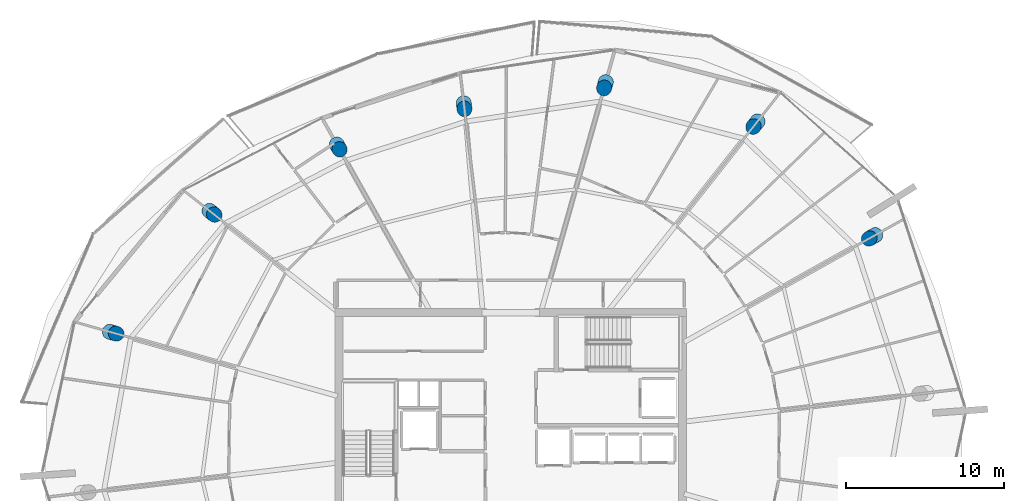
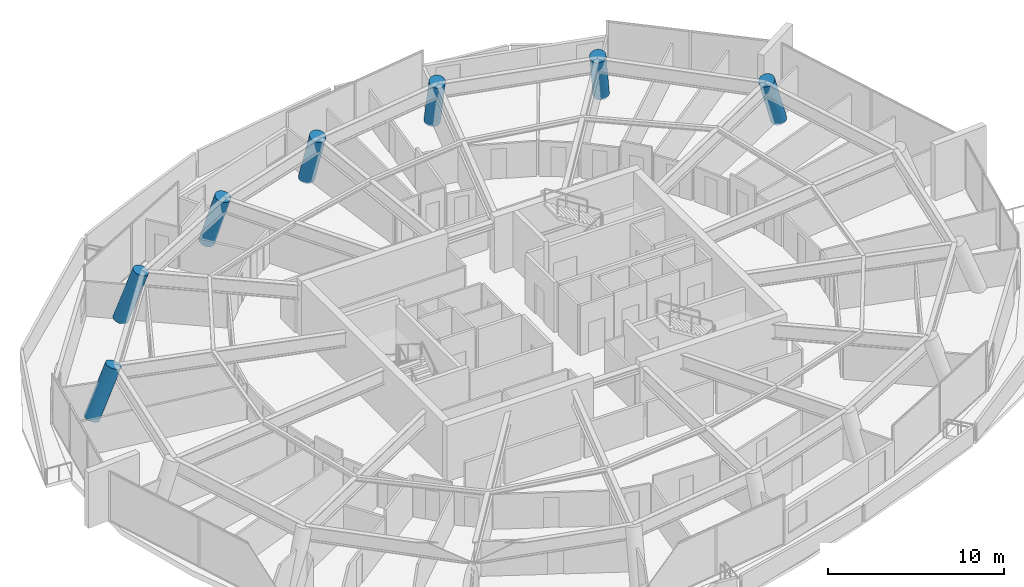
# One storey, part 4 of 27: 7 columns.
"""IFC4 building model written with IfcOpenShell, lengths in metres."""

from ifc_helpers import new_model, si_unit, direction, frame, origin, origin_2d, place, context, subcontext, project, spatial, circle, extrude, material, material_profile, profile_set, type_object, element, save


model = new_model("IFC4")

# Units and contexts
model_context = context("Model", 3, precision=1e-05, world=origin(), true_north=direction((0.0, 1.0)))
body_context = subcontext(model_context, "Body", "Model", "MODEL_VIEW")
ifc_project = project(units=[si_unit("LENGTHUNIT", "METRE"), si_unit("AREAUNIT", "SQUARE_METRE"), si_unit("VOLUMEUNIT", "CUBIC_METRE"), si_unit("PLANEANGLEUNIT", "RADIAN"), si_unit("MASSUNIT", "GRAM", prefix="KILO")], contexts=[model_context])

# Site, building, storey
site_placement = place(None, origin())
site = spatial("IfcSite", under=ifc_project, at=site_placement, CompositionType="ELEMENT")
building_placement = place(site_placement, origin())
building = spatial("IfcBuilding", under=site, at=building_placement, Name="Kazma Halo Residences", CompositionType="ELEMENT")
storey_placement = place(building_placement, frame((0.0, 0.0, 306.0)))
storey = spatial("IfcBuildingStorey", under=building, at=storey_placement, Name="L77", CompositionType="ELEMENT", Elevation=306.0)

# Columns
ifc_material = material(Name="Concrete C60/75", Category="concrete")
ifc_material_profile = material_profile(ifc_material, circle(Radius=0.47509765625, at=origin_2d()), Name="CIRC950")
ifc_profile_set = profile_set([ifc_material_profile], Name="Concrete C60/75")
column_type = type_object("IfcColumnType", Name="COL-PERIM-950", PredefinedType="COLUMN", material=ifc_profile_set)
column_1_placement = place(storey_placement, frame((71.519775390625, 55.171630859375, 0.0), z_axis=(-0.310266678736, -0.173751985726, 0.934636204907), x_axis=(0.488609032596, -0.872502844274, 0.0)))
element("IfcColumn", 1, at=column_1_placement, inside=storey, type_object=column_type, Name="L77 perimeter ring column P01", PredefinedType="COLUMN", context=body_context, shape_type="SweptSolid", body=[
    extrude(circle(Radius=0.47509765625, at=origin_2d()), origin(), (0.0, 0.0, 1.0), 3.691162109375),
])
column_2_placement = place(storey_placement, frame((64.0615234375, 62.3740234375, 0.0), z_axis=(-0.212903289351, -0.270116064673, 0.938993876971), x_axis=(0.785372123188, -0.619023931782, 0.0)))
element("IfcColumn", 2, at=column_2_placement, inside=storey, type_object=column_type, Name="L77 perimeter ring column P02", PredefinedType="COLUMN", context=body_context, shape_type="SweptSolid", body=[
    extrude(circle(Radius=0.47509765625, at=origin_2d()), origin(), (0.0, 0.0, 1.0), 3.674072265625),
])
column_3_placement = place(storey_placement, frame((54.447509765625, 64.861328125, 0.0), z_axis=(-0.086284912029, -0.305955831144, 0.948127598662), x_axis=(0.962458159265, -0.271430086144, 0.0)))
element("IfcColumn", 3, at=column_3_placement, inside=storey, type_object=column_type, Name="L77 perimeter ring column P03", PredefinedType="COLUMN", context=body_context, shape_type="SweptSolid", body=[
    extrude(circle(Radius=0.47509765625, at=origin_2d()), origin(), (0.0, 0.0, 1.0), 3.638671875),
])
for number, where, z_axis, x_axis, name in (
    (4, (45.453125, 63.518310546875, 0.0), (0.034376698759, -0.290510172782, 0.956254193242), (0.993071427628, 0.117512295652, 0.0), "L77 perimeter ring column P04"),
    (5, (37.412353515625, 60.905517578125, 0.0), (0.142922715552, -0.25519013274, 0.956269362435), (0.872482342855, 0.488645639913, 0.0), "L77 perimeter ring column P05"),
):
    element("IfcColumn", number, at=place(storey_placement, frame(where, z_axis=z_axis, x_axis=x_axis)), inside=storey, type_object=column_type, Name=name, PredefinedType="COLUMN", context=body_context, shape_type="SweptSolid", body=[
        extrude(circle(Radius=0.47509765625, at=origin_2d()), origin(), (0.0, 0.0, 1.0), 3.607666015625),
    ])
column_4_placement = place(storey_placement, frame((29.34619140625, 56.705322265625, 0.0), z_axis=(0.249725028878, -0.196787616792, 0.948109721408), x_axis=(0.618939298338, 0.785438823189, 0.0)))
element("IfcColumn", 6, at=column_4_placement, inside=storey, type_object=column_type, Name="L77 perimeter ring column P06", PredefinedType="COLUMN", context=body_context, shape_type="SweptSolid", body=[
    extrude(circle(Radius=0.47509765625, at=origin_2d()), origin(), (0.0, 0.0, 1.0), 3.638671875),
])
column_5_placement = place(storey_placement, frame((23.0302734375, 49.042236328125, 0.0), z_axis=(0.330987533093, -0.093362273438, 0.939005185734), x_axis=(0.271478522348, 0.96244449809, 0.0)))
element("IfcColumn", 7, at=column_5_placement, inside=storey, type_object=column_type, Name="L77 perimeter ring column P07", PredefinedType="COLUMN", context=body_context, shape_type="SweptSolid", body=[
    extrude(circle(Radius=0.47509765625, at=origin_2d()), origin(), (0.0, 0.0, 1.0), 3.674072265625),
])

save(model, "model.ifc")
